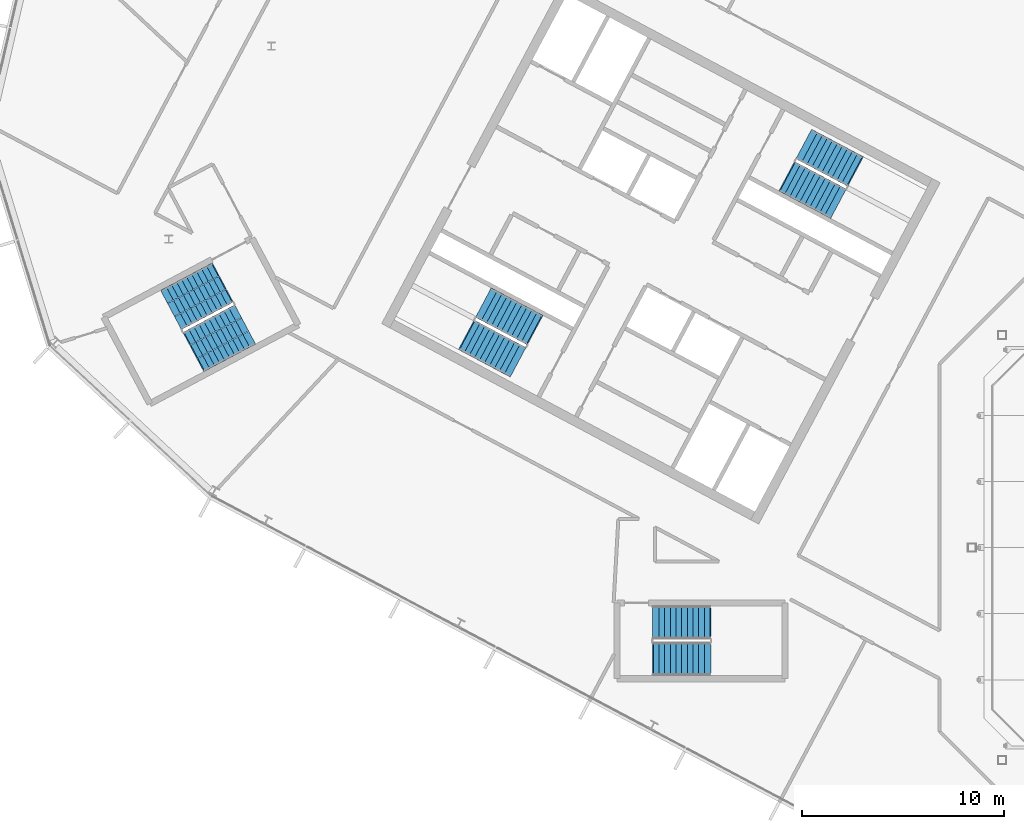
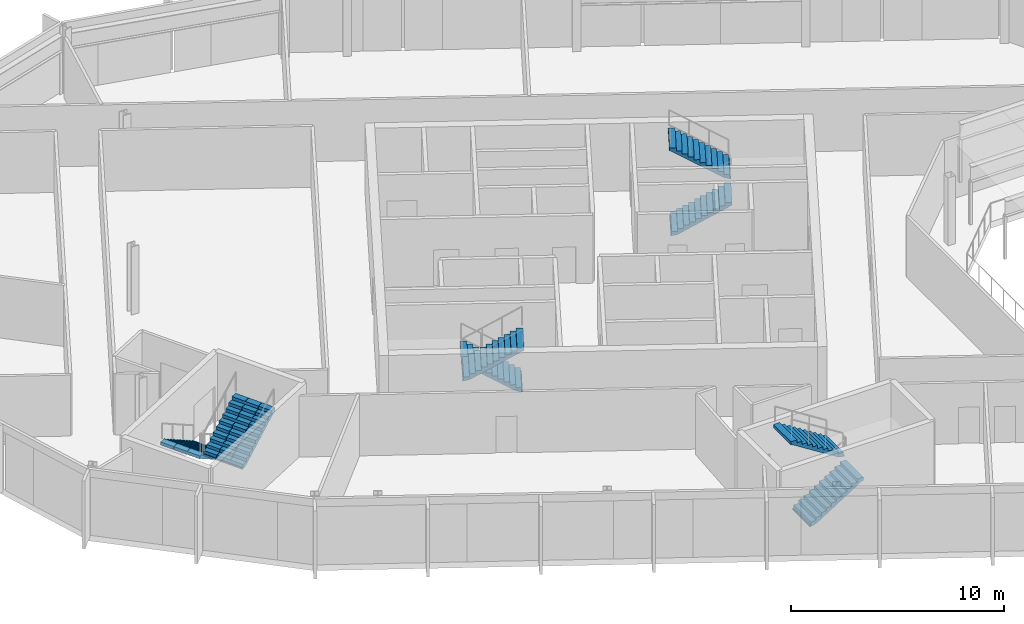
# One storey, part 28 of 35: 8 stair flights, 4 elements without a shape of their own.
"""IFC4 building model written with IfcOpenShell, lengths in metres."""

import ifcopenshell
import ifcopenshell.guid

model = None  # the IFC model being written
_history = None  # IfcOwnerHistory: only IFC2X3 demands one
_inside = {}  # id of a spatial element -> (the spatial element, [elements in it])
_under = {}  # id of a project, library or spatial element -> (it, [spatial elements below it])
_declared = {}  # id of a project -> (the project, [libraries it declares])
_typed = {}  # id of a type object -> (the type object, [elements of that type])
_made_of = {}  # id of a material, layer set ... -> (it, [elements and type objects made of it])


def new_model(schema):
    """Start an empty IFC model of exactly this schema.

    Asked for "IFC4X3", IfcOpenShell would pick the latest addendum, in which some entities
    have other attributes; the version numbers below select the first issue.
    IFC2X3 requires an IfcOwnerHistory on every rooted entity: one is made here for all.
    """
    global model, _history
    if schema == "IFC4X3":
        model = ifcopenshell.file(schema_version=(4, 3, 0, 0))
    else:
        model = ifcopenshell.file(schema=schema)
    _inside.clear()
    _under.clear()
    _declared.clear()
    _typed.clear()
    _made_of.clear()
    _history = None
    if model.schema == "IFC2X3":
        org = make("IfcOrganization", Name="unknown")
        user = make(
            "IfcPersonAndOrganization",
            ThePerson=make("IfcPerson", FamilyName="unknown"),
            TheOrganization=org,
        )
        app = make(
            "IfcApplication",
            ApplicationDeveloper=org,
            Version="unknown",
            ApplicationFullName="unknown",
            ApplicationIdentifier="unknown",
        )
        _history = make(
            "IfcOwnerHistory",
            OwningUser=user,
            OwningApplication=app,
            ChangeAction="ADDED",
            CreationDate=0,
        )
    return model


def make(cls, **values):
    """One entity of the class cls with the attributes given. An attribute that is None is left unset."""
    return model.create_entity(
        cls, **{name: value for name, value in values.items() if value is not None}
    )


def rooted(cls, **values):
    """An entity with a GlobalId (a new one), such as an element, a storey or a relation."""
    return make(cls, GlobalId=ifcopenshell.guid.new(), OwnerHistory=_history, **values)


def si_unit(unit_type, name, prefix=None):
    """IfcSIUnit, for example si_unit("LENGTHUNIT", "METRE", prefix="MILLI")."""
    return make("IfcSIUnit", UnitType=unit_type, Prefix=prefix, Name=name)


def assignment(units):
    """IfcUnitAssignment: the units of a project."""
    return None if units is None else make("IfcUnitAssignment", Units=units)


def point(xyz):
    """IfcCartesianPoint."""
    return None if xyz is None else make("IfcCartesianPoint", Coordinates=xyz)


def direction(xyz):
    """IfcDirection."""
    return None if xyz is None else make("IfcDirection", DirectionRatios=xyz)


def frame(location, z_axis=None, x_axis=None):
    """IfcAxis2Placement3D, a coordinate frame: its origin and axes. An axis left out is left unset."""
    return make(
        "IfcAxis2Placement3D",
        Location=point(location),
        Axis=direction(z_axis),
        RefDirection=direction(x_axis),
    )


def origin():
    """The frame at (0, 0, 0) with its axes left unset."""
    return frame((0.0, 0.0, 0.0))


def place(relative_to, where):
    """IfcLocalPlacement: puts the frame where relative to a parent placement (None: the world)."""
    return make(
        "IfcLocalPlacement", PlacementRelTo=relative_to, RelativePlacement=where
    )


def context(
    kind, dimensions, precision=None, world=None, true_north=None, identifier=None
):
    """IfcGeometricRepresentationContext, for example the 3D "Model" context."""
    return make(
        "IfcGeometricRepresentationContext",
        ContextIdentifier=identifier,
        ContextType=kind,
        CoordinateSpaceDimension=dimensions,
        Precision=precision,
        WorldCoordinateSystem=world,
        TrueNorth=true_north,
    )


def subcontext(parent, identifier, kind, view, scale=None):
    """IfcGeometricRepresentationSubContext, for example "Body" below "Model"."""
    return make(
        "IfcGeometricRepresentationSubContext",
        ContextIdentifier=identifier,
        ContextType=kind,
        ParentContext=parent,
        TargetScale=scale,
        TargetView=view,
    )


def project(units=None, contexts=None):
    """IfcProject with its units and contexts."""
    return rooted(
        "IfcProject",
        Name="project",
        RepresentationContexts=contexts,
        UnitsInContext=assignment(units),
    )


def spatial(cls, under=None, at=None, **own):
    """A site, building, storey or space (cls), placed at a placement, below another one or the project."""
    s = rooted(cls, ObjectPlacement=at, **own)
    if under is not None:
        _under.setdefault(under.id(), (under, []))[1].append(s)
    return s


def polyline(points):
    """IfcPolyline through the points."""
    return make("IfcPolyline", Points=[point(p) for p in points])


def outline(outer, holes=None, kind="AREA"):
    """IfcArbitraryClosedProfileDef: a profile drawn as a closed curve; with holes, ...WithVoids."""
    if holes is None:
        return make("IfcArbitraryClosedProfileDef", ProfileType=kind, OuterCurve=outer)
    return make(
        "IfcArbitraryProfileDefWithVoids",
        ProfileType=kind,
        OuterCurve=outer,
        InnerCurves=holes,
    )


def extrude(swept, where, along, depth):
    """IfcExtrudedAreaSolid: the profile swept, set in the frame where, extruded along a direction by depth."""
    return make(
        "IfcExtrudedAreaSolid",
        SweptArea=swept,
        Position=where,
        ExtrudedDirection=direction(along),
        Depth=depth,
    )


def shape(context_of_items, identifier, shape_type, items):
    """IfcShapeRepresentation: the items that make up one representation, for example the "Body"."""
    return make(
        "IfcShapeRepresentation",
        ContextOfItems=context_of_items,
        RepresentationIdentifier=identifier,
        RepresentationType=shape_type,
        Items=items,
    )


def material(Name=None, Category=None):
    """IfcMaterial."""
    return make("IfcMaterial", Name=Name, Category=Category)


def made_of(thing, what):
    """Note that an element or type object is made of a material, layer set ...; save() writes the relation."""
    if what is not None:
        _made_of.setdefault(what.id(), (what, []))[1].append(thing)
    return thing


def type_object(cls, material=None, **own):
    """A type object (cls), such as IfcWallType, which elements share."""
    return made_of(rooted(cls, **own), material)


def element(
    cls,
    number,
    at=None,
    inside=None,
    cuts=None,
    type_object=None,
    material=None,
    context=None,
    identifier="Body",
    shape_type=None,
    held_by="IfcProductDefinitionShape",
    body=None,
    shapes=None,
    **own,
):
    """One element of the class cls, such as IfcWall. Its Tag is "e" and its number.

    at: its placement. inside: the storey or other place that contains it. cuts: it is an
    opening in that element (IfcRelVoidsElement). A single representation is given by context,
    identifier, shape_type and body (its items); several are given by shapes. held_by: the class
    of the entity that holds the representations. save() writes the other relations.
    """
    e = rooted(cls, Tag="e%d" % number, ObjectPlacement=at, **own)
    if body is not None:
        shapes = [shape(context, identifier, shape_type, body)]
    if shapes is not None:
        e.Representation = make(held_by, Representations=shapes)
    if inside is not None:
        _inside.setdefault(inside.id(), (inside, []))[1].append(e)
    if cuts is not None:
        rooted(
            "IfcRelVoidsElement", RelatingBuildingElement=cuts, RelatedOpeningElement=e
        )
    if type_object is not None:
        _typed.setdefault(type_object.id(), (type_object, []))[1].append(e)
    return made_of(e, material)


def aggregate(whole, parts):
    """IfcRelAggregates: a whole, such as a stair, and the parts it consists of."""
    return rooted("IfcRelAggregates", RelatingObject=whole, RelatedObjects=parts)


def save(model, path):
    """Write the relations noted so far, then the file.

    IfcRelAggregates (storeys below a building ...), IfcRelContainedInSpatialStructure (elements
    in a storey), IfcRelDefinesByType, IfcRelAssociatesMaterial and IfcRelDeclares: one each for
    every whole, place, type object, material and project.
    """
    for whole, parts in _under.values():
        aggregate(whole, parts)
    for where, things in _inside.values():
        rooted(
            "IfcRelContainedInSpatialStructure",
            RelatedElements=things,
            RelatingStructure=where,
        )
    for kind, things in _typed.values():
        rooted("IfcRelDefinesByType", RelatedObjects=things, RelatingType=kind)
    for what, things in _made_of.values():
        rooted("IfcRelAssociatesMaterial", RelatedObjects=things, RelatingMaterial=what)
    for by, libraries in _declared.values():
        rooted("IfcRelDeclares", RelatingContext=by, RelatedDefinitions=libraries)
    model.write(path)


model = new_model("IFC4")

# Units and contexts
model_context = context("Model", 3, precision=1e-05, world=origin(), true_north=direction((0.0, 1.0)))
body_context = subcontext(model_context, "Body", "Model", "MODEL_VIEW")
ifc_project = project(units=[si_unit("LENGTHUNIT", "METRE"), si_unit("AREAUNIT", "SQUARE_METRE"), si_unit("VOLUMEUNIT", "CUBIC_METRE"), si_unit("PLANEANGLEUNIT", "RADIAN"), si_unit("MASSUNIT", "GRAM", prefix="KILO")], contexts=[model_context])

# Site, building, storey
site_placement = place(None, origin())
site = spatial("IfcSite", under=ifc_project, at=site_placement, CompositionType="ELEMENT")
building_placement = place(site_placement, origin())
building = spatial("IfcBuilding", under=site, at=building_placement, Name="Cormorant Relay Tower", CompositionType="ELEMENT")
storey_placement = place(building_placement, frame((0.0, 0.0, 324.300048828125)))
storey = spatial("IfcBuildingStorey", under=building, at=storey_placement, Name="L74", CompositionType="ELEMENT", Elevation=324.300048828125)

# Stair, stair flights
ifc_material_1 = material(Name="Concrete 40 MPa", Category="concrete")
stair_type_1 = type_object("IfcStairType", Name="Exit stair 1500", PredefinedType="HALF_TURN_STAIR", material=ifc_material_1)
stair_1_placement = place(storey_placement, origin())
stair_1 = element("IfcStair", 1, at=stair_1_placement, inside=storey, type_object=stair_type_1, Name="L74 Stair", PredefinedType="HALF_TURN_STAIR")
ifc_material_2 = material(Name="Concrete 40 MPa", Category="concrete")
stair_flight_type_1 = type_object("IfcStairFlightType", Name="Exit stair flight 1650", PredefinedType="STRAIGHT", material=ifc_material_2)
stair_flight_1_placement = place(storey_placement, frame((-21.114501953125, 18.33349609375, 0.0), z_axis=(0.0, 0.0, 1.0), x_axis=(0.882947592859, -0.469471562786, 0.0)))
stair_flight_1 = element("IfcStairFlight", 2, at=stair_flight_1_placement, type_object=stair_flight_type_1, Name="A1 flight 1", NumberOfRisers=11, NumberOfTreads=10, PredefinedType="STRAIGHT", RiserHeight=0.177272727, TreadLength=0.28, context=body_context, shape_type="SweptSolid", body=[
    extrude(outline(polyline([(-0.050048828125, -0.080078125), (-0.050048828125, 0.0), (0.0, 0.0), (0.0, 0.17724609375), (0.280029296875, 0.17724609375), (0.280029296875, 0.3544921875), (0.56005859375, 0.3544921875), (0.56005859375, 0.53173828125), (0.840087890625, 0.53173828125), (0.840087890625, 0.708984375), (1.1201171875, 0.708984375), (1.1201171875, 0.886474609375), (1.39990234375, 0.886474609375), (1.39990234375, 1.063720703125), (1.679931640625, 1.063720703125), (1.679931640625, 1.240966796875), (1.9599609375, 1.240966796875), (1.9599609375, 1.418212890625), (2.239990234375, 1.418212890625), (2.239990234375, 1.595458984375), (2.52001953125, 1.595458984375), (2.52001953125, 1.772705078125), (2.800048828125, 1.772705078125), (2.85009765625, 1.772705078125), (2.85009765625, 1.59521484375), (2.800048828125, 1.59521484375), (0.2802734375, 0.0), (-0.050048828125, -0.080078125)])), frame((0.0, 0.824951171875, 0.0), z_axis=(0.0, -1.0, 0.0), x_axis=(1.0, 0.0, 0.0)), (0.0, 0.0, 1.0), 1.64990234375),
])
stair_flight_2_placement = place(storey_placement, frame((-17.797119140625, 18.6083984375, 1.949951171875), z_axis=(0.0, 0.0, 1.0), x_axis=(-0.882947592859, 0.469471562786, 0.0)))
stair_flight_2 = element("IfcStairFlight", 3, at=stair_flight_2_placement, type_object=stair_flight_type_1, Name="A1 flight 2", NumberOfRisers=11, NumberOfTreads=10, PredefinedType="STRAIGHT", RiserHeight=0.177272727, TreadLength=0.28, context=body_context, shape_type="SweptSolid", body=[
    extrude(outline(polyline([(-0.050048828125, -0.080078125), (-0.050048828125, 0.0), (0.0, 0.0), (0.0, 0.17724609375), (0.280029296875, 0.17724609375), (0.280029296875, 0.3544921875), (0.56005859375, 0.3544921875), (0.56005859375, 0.53173828125), (0.840087890625, 0.53173828125), (0.840087890625, 0.708984375), (1.1201171875, 0.708984375), (1.1201171875, 0.886474609375), (1.39990234375, 0.886474609375), (1.39990234375, 1.063720703125), (1.679931640625, 1.063720703125), (1.679931640625, 1.240966796875), (1.9599609375, 1.240966796875), (1.9599609375, 1.418212890625), (2.239990234375, 1.418212890625), (2.239990234375, 1.595458984375), (2.52001953125, 1.595458984375), (2.52001953125, 1.772705078125), (2.800048828125, 1.772705078125), (2.85009765625, 1.772705078125), (2.85009765625, 1.59521484375), (2.800048828125, 1.59521484375), (0.2802734375, 0.0), (-0.050048828125, -0.080078125)])), frame((0.0, 0.824951171875, 0.0), z_axis=(0.0, -1.0, 0.0), x_axis=(1.0, 0.0, 0.0)), (0.0, 0.0, 1.0), 1.64990234375),
])
aggregate(stair_1, [stair_flight_1, stair_flight_2])

stair_2_placement = place(storey_placement, origin())
stair_2 = element("IfcStair", 4, at=stair_2_placement, inside=storey, type_object=stair_type_1, Name="L74 Stair", PredefinedType="HALF_TURN_STAIR")
stair_flight_3_placement = place(storey_placement, frame((-33.62841796875, 10.773681640625, 0.0), z_axis=(0.0, 0.0, 1.0), x_axis=(-0.882947592859, 0.469471562786, 0.0)))
stair_flight_3 = element("IfcStairFlight", 5, at=stair_flight_3_placement, type_object=stair_flight_type_1, Name="A2 flight 1", NumberOfRisers=11, NumberOfTreads=10, PredefinedType="STRAIGHT", RiserHeight=0.177272727, TreadLength=0.28, context=body_context, shape_type="SweptSolid", body=[
    extrude(outline(polyline([(-0.050048828125, -0.080078125), (-0.050048828125, 0.0), (0.0, 0.0), (0.0, 0.17724609375), (0.280029296875, 0.17724609375), (0.280029296875, 0.3544921875), (0.56005859375, 0.3544921875), (0.56005859375, 0.53173828125), (0.840087890625, 0.53173828125), (0.840087890625, 0.708984375), (1.1201171875, 0.708984375), (1.1201171875, 0.886474609375), (1.39990234375, 0.886474609375), (1.39990234375, 1.063720703125), (1.679931640625, 1.063720703125), (1.679931640625, 1.240966796875), (1.9599609375, 1.240966796875), (1.9599609375, 1.418212890625), (2.239990234375, 1.418212890625), (2.239990234375, 1.595458984375), (2.52001953125, 1.595458984375), (2.52001953125, 1.772705078125), (2.800048828125, 1.772705078125), (2.85009765625, 1.772705078125), (2.85009765625, 1.59521484375), (2.800048828125, 1.59521484375), (0.2802734375, 0.0), (-0.050048828125, -0.080078125)])), frame((0.0, 0.824951171875, 0.0), z_axis=(0.0, -1.0, 0.0), x_axis=(1.0, 0.0, 0.0)), (0.0, 0.0, 1.0), 1.64990234375),
])
stair_flight_4_placement = place(storey_placement, frame((-36.945556640625, 10.498779296875, 1.949951171875), z_axis=(0.0, 0.0, 1.0), x_axis=(0.882947592859, -0.469471562786, 0.0)))
stair_flight_4 = element("IfcStairFlight", 6, at=stair_flight_4_placement, type_object=stair_flight_type_1, Name="A2 flight 2", NumberOfRisers=11, NumberOfTreads=10, PredefinedType="STRAIGHT", RiserHeight=0.177272727, TreadLength=0.28, context=body_context, shape_type="SweptSolid", body=[
    extrude(outline(polyline([(-0.050048828125, -0.080078125), (-0.050048828125, 0.0), (0.0, 0.0), (0.0, 0.17724609375), (0.280029296875, 0.17724609375), (0.280029296875, 0.3544921875), (0.56005859375, 0.3544921875), (0.56005859375, 0.53173828125), (0.840087890625, 0.53173828125), (0.840087890625, 0.708984375), (1.1201171875, 0.708984375), (1.1201171875, 0.886474609375), (1.39990234375, 0.886474609375), (1.39990234375, 1.063720703125), (1.679931640625, 1.063720703125), (1.679931640625, 1.240966796875), (1.9599609375, 1.240966796875), (1.9599609375, 1.418212890625), (2.239990234375, 1.418212890625), (2.239990234375, 1.595458984375), (2.52001953125, 1.595458984375), (2.52001953125, 1.772705078125), (2.800048828125, 1.772705078125), (2.85009765625, 1.772705078125), (2.85009765625, 1.59521484375), (2.800048828125, 1.59521484375), (0.2802734375, 0.0), (-0.050048828125, -0.080078125)])), frame((0.0, 0.824951171875, 0.0), z_axis=(0.0, -1.0, 0.0), x_axis=(1.0, 0.0, 0.0)), (0.0, 0.0, 1.0), 1.64990234375),
])
aggregate(stair_2, [stair_flight_3, stair_flight_4])

stair_3_placement = place(storey_placement, origin())
stair_3 = element("IfcStair", 7, at=stair_3_placement, inside=storey, type_object=stair_type_1, Name="L74 Stair", PredefinedType="HALF_TURN_STAIR")
stair_flight_5_placement = place(storey_placement, frame((-27.75, -5.5, 0.0), z_axis=(0.0, 0.0, 1.0), x_axis=(1.0, 0.0, 0.0)))
stair_flight_5 = element("IfcStairFlight", 8, at=stair_flight_5_placement, type_object=stair_flight_type_1, Name="RC1 flight 1", NumberOfRisers=11, NumberOfTreads=10, PredefinedType="STRAIGHT", RiserHeight=0.177272727, TreadLength=0.28, context=body_context, shape_type="SweptSolid", body=[
    extrude(outline(polyline([(-0.050048828125, -0.080078125), (-0.050048828125, 0.0), (0.0, 0.0), (0.0, 0.17724609375), (0.280029296875, 0.17724609375), (0.280029296875, 0.3544921875), (0.56005859375, 0.3544921875), (0.56005859375, 0.53173828125), (0.840087890625, 0.53173828125), (0.840087890625, 0.708984375), (1.1201171875, 0.708984375), (1.1201171875, 0.886474609375), (1.39990234375, 0.886474609375), (1.39990234375, 1.063720703125), (1.679931640625, 1.063720703125), (1.679931640625, 1.240966796875), (1.9599609375, 1.240966796875), (1.9599609375, 1.418212890625), (2.239990234375, 1.418212890625), (2.239990234375, 1.595458984375), (2.52001953125, 1.595458984375), (2.52001953125, 1.772705078125), (2.800048828125, 1.772705078125), (2.85009765625, 1.772705078125), (2.85009765625, 1.59521484375), (2.800048828125, 1.59521484375), (0.2802734375, 0.0), (-0.050048828125, -0.080078125)])), frame((0.0, 0.824951171875, 0.0), z_axis=(0.0, -1.0, 0.0), x_axis=(1.0, 0.0, 0.0)), (0.0, 0.0, 1.0), 1.64990234375),
])
stair_flight_6_placement = place(storey_placement, frame((-24.949951171875, -3.699951171875, 1.949951171875), z_axis=(0.0, 0.0, 1.0), x_axis=(-1.0, 0.0, 0.0)))
stair_flight_6 = element("IfcStairFlight", 9, at=stair_flight_6_placement, type_object=stair_flight_type_1, Name="RC1 flight 2", NumberOfRisers=11, NumberOfTreads=10, PredefinedType="STRAIGHT", RiserHeight=0.177272727, TreadLength=0.28, context=body_context, shape_type="SweptSolid", body=[
    extrude(outline(polyline([(-0.050048828125, -0.080078125), (-0.050048828125, 0.0), (0.0, 0.0), (0.0, 0.17724609375), (0.280029296875, 0.17724609375), (0.280029296875, 0.3544921875), (0.56005859375, 0.3544921875), (0.56005859375, 0.53173828125), (0.840087890625, 0.53173828125), (0.840087890625, 0.708984375), (1.1201171875, 0.708984375), (1.1201171875, 0.886474609375), (1.39990234375, 0.886474609375), (1.39990234375, 1.063720703125), (1.679931640625, 1.063720703125), (1.679931640625, 1.240966796875), (1.9599609375, 1.240966796875), (1.9599609375, 1.418212890625), (2.239990234375, 1.418212890625), (2.239990234375, 1.595458984375), (2.52001953125, 1.595458984375), (2.52001953125, 1.772705078125), (2.800048828125, 1.772705078125), (2.85009765625, 1.772705078125), (2.85009765625, 1.59521484375), (2.800048828125, 1.59521484375), (0.2802734375, 0.0), (-0.050048828125, -0.080078125)])), frame((0.0, 0.824951171875, 0.0), z_axis=(0.0, -1.0, 0.0), x_axis=(1.0, 0.0, 0.0)), (0.0, 0.0, 1.0), 1.64990234375),
])
aggregate(stair_3, [stair_flight_5, stair_flight_6])

ifc_material_3 = material(Name="Concrete 40 MPa", Category="concrete")
stair_type_2 = type_object("IfcStairType", Name="Remote exit stair 2200", PredefinedType="HALF_TURN_STAIR", material=ifc_material_3)
stair_4_placement = place(storey_placement, origin())
stair_4 = element("IfcStair", 10, at=stair_4_placement, inside=storey, type_object=stair_type_2, Name="L74 Stair", PredefinedType="HALF_TURN_STAIR")
ifc_material_4 = material(Name="Concrete 40 MPa", Category="concrete")
stair_flight_type_2 = type_object("IfcStairFlightType", Name="Remote exit stair flight 2200", PredefinedType="STRAIGHT", material=ifc_material_4)
stair_flight_7_placement = place(storey_placement, frame((-49.062255859375, 13.08251953125, 0.0), z_axis=(0.0, 0.0, 1.0), x_axis=(-0.882947502727, -0.4694717323, 0.0)))
stair_flight_7 = element("IfcStairFlight", 11, at=stair_flight_7_placement, type_object=stair_flight_type_2, Name="RP1 flight 1", NumberOfRisers=11, NumberOfTreads=10, PredefinedType="STRAIGHT", RiserHeight=0.177272727, TreadLength=0.28, context=body_context, shape_type="SweptSolid", body=[
    extrude(outline(polyline([(-0.050048828125, -0.080078125), (-0.050048828125, 0.0), (0.0, 0.0), (0.0, 0.17724609375), (0.280029296875, 0.17724609375), (0.280029296875, 0.3544921875), (0.56005859375, 0.3544921875), (0.56005859375, 0.53173828125), (0.840087890625, 0.53173828125), (0.840087890625, 0.708984375), (1.1201171875, 0.708984375), (1.1201171875, 0.886474609375), (1.39990234375, 0.886474609375), (1.39990234375, 1.063720703125), (1.679931640625, 1.063720703125), (1.679931640625, 1.240966796875), (1.9599609375, 1.240966796875), (1.9599609375, 1.418212890625), (2.239990234375, 1.418212890625), (2.239990234375, 1.595458984375), (2.52001953125, 1.595458984375), (2.52001953125, 1.772705078125), (2.800048828125, 1.772705078125), (2.85009765625, 1.772705078125), (2.85009765625, 1.59521484375), (2.800048828125, 1.59521484375), (0.2802734375, 0.0), (-0.050048828125, -0.080078125)])), frame((0.0, 1.10009765625, 0.0), z_axis=(0.0, -1.0, 0.0), x_axis=(1.0, 0.0, 0.0)), (0.0, 0.0, 1.0), 0.719970703125),
    extrude(outline(polyline([(-0.050048828125, -0.080078125), (-0.050048828125, 0.0), (0.0, 0.0), (0.0, 0.17724609375), (0.280029296875, 0.17724609375), (0.280029296875, 0.3544921875), (0.56005859375, 0.3544921875), (0.56005859375, 0.53173828125), (0.840087890625, 0.53173828125), (0.840087890625, 0.708984375), (1.1201171875, 0.708984375), (1.1201171875, 0.886474609375), (1.39990234375, 0.886474609375), (1.39990234375, 1.063720703125), (1.679931640625, 1.063720703125), (1.679931640625, 1.240966796875), (1.9599609375, 1.240966796875), (1.9599609375, 1.418212890625), (2.239990234375, 1.418212890625), (2.239990234375, 1.595458984375), (2.52001953125, 1.595458984375), (2.52001953125, 1.772705078125), (2.800048828125, 1.772705078125), (2.85009765625, 1.772705078125), (2.85009765625, 1.59521484375), (2.800048828125, 1.59521484375), (0.2802734375, 0.0), (-0.050048828125, -0.080078125)])), frame((0.0, 0.360107421875, 0.0), z_axis=(0.0, -1.0, 0.0), x_axis=(1.0, 0.0, 0.0)), (0.0, 0.0, 1.0), 0.719970703125),
    extrude(outline(polyline([(-0.050048828125, -0.080078125), (-0.050048828125, 0.0), (0.0, 0.0), (0.0, 0.17724609375), (0.280029296875, 0.17724609375), (0.280029296875, 0.3544921875), (0.56005859375, 0.3544921875), (0.56005859375, 0.53173828125), (0.840087890625, 0.53173828125), (0.840087890625, 0.708984375), (1.1201171875, 0.708984375), (1.1201171875, 0.886474609375), (1.39990234375, 0.886474609375), (1.39990234375, 1.063720703125), (1.679931640625, 1.063720703125), (1.679931640625, 1.240966796875), (1.9599609375, 1.240966796875), (1.9599609375, 1.418212890625), (2.239990234375, 1.418212890625), (2.239990234375, 1.595458984375), (2.52001953125, 1.595458984375), (2.52001953125, 1.772705078125), (2.800048828125, 1.772705078125), (2.85009765625, 1.772705078125), (2.85009765625, 1.59521484375), (2.800048828125, 1.59521484375), (0.2802734375, 0.0), (-0.050048828125, -0.080078125)])), frame((0.0, -0.3798828125, 0.0), z_axis=(0.0, -1.0, 0.0), x_axis=(1.0, 0.0, 0.0)), (0.0, 0.0, 1.0), 0.719970703125),
])
stair_flight_8_placement = place(storey_placement, frame((-50.431396484375, 9.693115234375, 1.949951171875), z_axis=(0.0, 0.0, 1.0), x_axis=(0.882947502727, 0.4694717323, 0.0)))
stair_flight_8 = element("IfcStairFlight", 12, at=stair_flight_8_placement, type_object=stair_flight_type_2, Name="RP1 flight 2", NumberOfRisers=11, NumberOfTreads=10, PredefinedType="STRAIGHT", RiserHeight=0.177272727, TreadLength=0.28, context=body_context, shape_type="SweptSolid", body=[
    extrude(outline(polyline([(-0.050048828125, -0.080078125), (-0.050048828125, 0.0), (0.0, 0.0), (0.0, 0.17724609375), (0.280029296875, 0.17724609375), (0.280029296875, 0.3544921875), (0.56005859375, 0.3544921875), (0.56005859375, 0.53173828125), (0.840087890625, 0.53173828125), (0.840087890625, 0.708984375), (1.1201171875, 0.708984375), (1.1201171875, 0.886474609375), (1.39990234375, 0.886474609375), (1.39990234375, 1.063720703125), (1.679931640625, 1.063720703125), (1.679931640625, 1.240966796875), (1.9599609375, 1.240966796875), (1.9599609375, 1.418212890625), (2.239990234375, 1.418212890625), (2.239990234375, 1.595458984375), (2.52001953125, 1.595458984375), (2.52001953125, 1.772705078125), (2.800048828125, 1.772705078125), (2.85009765625, 1.772705078125), (2.85009765625, 1.59521484375), (2.800048828125, 1.59521484375), (0.2802734375, 0.0), (-0.050048828125, -0.080078125)])), frame((0.0, 1.10009765625, 0.0), z_axis=(0.0, -1.0, 0.0), x_axis=(1.0, 0.0, 0.0)), (0.0, 0.0, 1.0), 0.719970703125),
    extrude(outline(polyline([(-0.050048828125, -0.080078125), (-0.050048828125, 0.0), (0.0, 0.0), (0.0, 0.17724609375), (0.280029296875, 0.17724609375), (0.280029296875, 0.3544921875), (0.56005859375, 0.3544921875), (0.56005859375, 0.53173828125), (0.840087890625, 0.53173828125), (0.840087890625, 0.708984375), (1.1201171875, 0.708984375), (1.1201171875, 0.886474609375), (1.39990234375, 0.886474609375), (1.39990234375, 1.063720703125), (1.679931640625, 1.063720703125), (1.679931640625, 1.240966796875), (1.9599609375, 1.240966796875), (1.9599609375, 1.418212890625), (2.239990234375, 1.418212890625), (2.239990234375, 1.595458984375), (2.52001953125, 1.595458984375), (2.52001953125, 1.772705078125), (2.800048828125, 1.772705078125), (2.85009765625, 1.772705078125), (2.85009765625, 1.59521484375), (2.800048828125, 1.59521484375), (0.2802734375, 0.0), (-0.050048828125, -0.080078125)])), frame((0.0, 0.360107421875, 0.0), z_axis=(0.0, -1.0, 0.0), x_axis=(1.0, 0.0, 0.0)), (0.0, 0.0, 1.0), 0.719970703125),
    extrude(outline(polyline([(-0.050048828125, -0.080078125), (-0.050048828125, 0.0), (0.0, 0.0), (0.0, 0.17724609375), (0.280029296875, 0.17724609375), (0.280029296875, 0.3544921875), (0.56005859375, 0.3544921875), (0.56005859375, 0.53173828125), (0.840087890625, 0.53173828125), (0.840087890625, 0.708984375), (1.1201171875, 0.708984375), (1.1201171875, 0.886474609375), (1.39990234375, 0.886474609375), (1.39990234375, 1.063720703125), (1.679931640625, 1.063720703125), (1.679931640625, 1.240966796875), (1.9599609375, 1.240966796875), (1.9599609375, 1.418212890625), (2.239990234375, 1.418212890625), (2.239990234375, 1.595458984375), (2.52001953125, 1.595458984375), (2.52001953125, 1.772705078125), (2.800048828125, 1.772705078125), (2.85009765625, 1.772705078125), (2.85009765625, 1.59521484375), (2.800048828125, 1.59521484375), (0.2802734375, 0.0), (-0.050048828125, -0.080078125)])), frame((0.0, -0.3798828125, 0.0), z_axis=(0.0, -1.0, 0.0), x_axis=(1.0, 0.0, 0.0)), (0.0, 0.0, 1.0), 0.719970703125),
])
aggregate(stair_4, [stair_flight_7, stair_flight_8])

save(model, "model.ifc")
